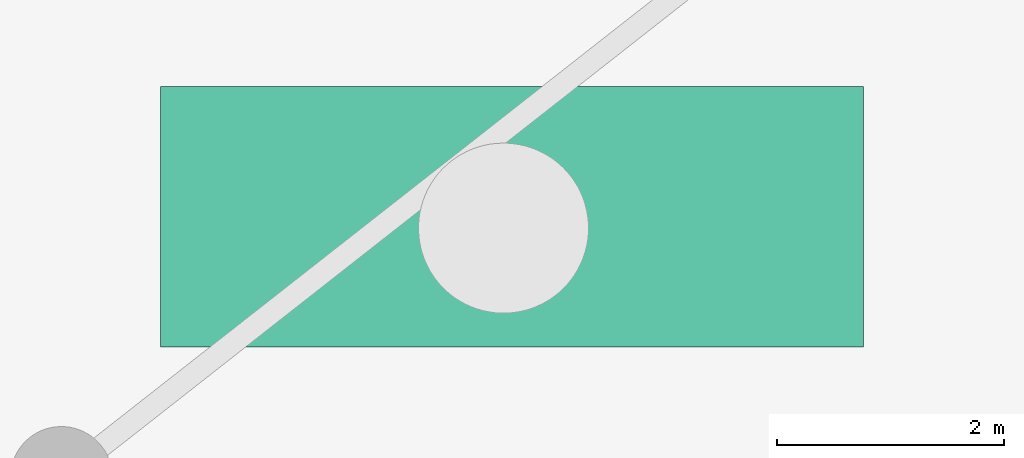
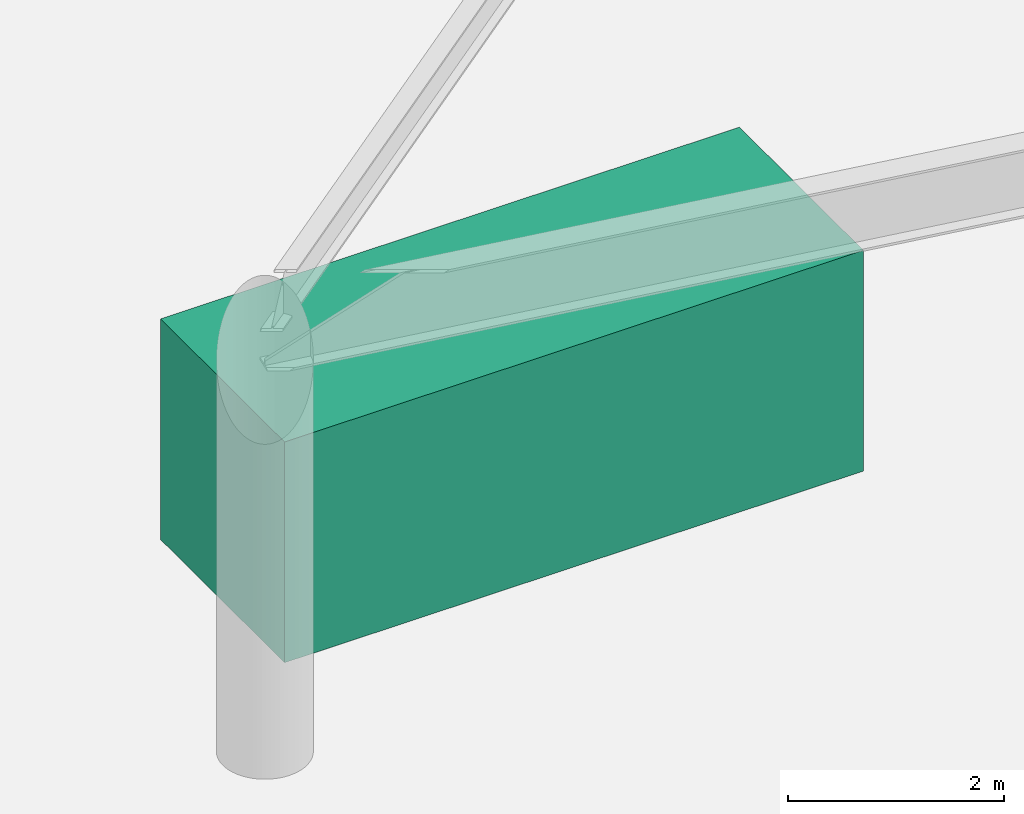
# One storey, part 21 of 22: 1 chiller.
"""IFC4 building model written with IfcOpenShell, lengths in metres."""

from ifc_helpers import new_model, si_unit, direction, frame, origin, origin_2d, place, context, subcontext, project, spatial, rectangle, extrude, material, type_object, element, save


model = new_model("IFC4")

# Units and contexts
model_context = context("Model", 3, precision=1e-05, world=origin(), true_north=direction((0.0, 1.0)))
body_context = subcontext(model_context, "Body", "Model", "MODEL_VIEW")
ifc_project = project(units=[si_unit("LENGTHUNIT", "METRE"), si_unit("AREAUNIT", "SQUARE_METRE"), si_unit("VOLUMEUNIT", "CUBIC_METRE"), si_unit("PLANEANGLEUNIT", "RADIAN"), si_unit("MASSUNIT", "GRAM", prefix="KILO")], contexts=[model_context])

# Site, building, storey
site_placement = place(None, origin())
site = spatial("IfcSite", under=ifc_project, at=site_placement, CompositionType="ELEMENT")
building_placement = place(site_placement, origin())
building = spatial("IfcBuilding", under=site, at=building_placement, Name="Kazevale Care Tower and Concert Hall", CompositionType="ELEMENT")
storey_placement = place(building_placement, frame((0.0, 0.0, -5.39990234375)))
storey = spatial("IfcBuildingStorey", under=building, at=storey_placement, Name="B1", CompositionType="ELEMENT", Elevation=-5.39990234375)

# Chiller
ifc_material = material(Name="Aluminium 6063-T6", Category="aluminium")
chiller_type = type_object("IfcChillerType", Name="Water-Cooled Chiller 2200 kW 6200x2300", PredefinedType="WATERCOOLED", material=ifc_material)
chiller_placement = place(storey_placement, frame((14.074951171875, 56.10009765625, 0.0), z_axis=(0.0, 0.0, 1.0), x_axis=(1.0, 0.0, 0.0)))
element("IfcChiller", 1, at=chiller_placement, inside=storey, type_object=chiller_type, Name="Water-Cooled Chiller B1-1", PredefinedType="WATERCOOLED", context=body_context, shape_type="SweptSolid", body=[
    extrude(rectangle(XDim=6.199951171875, YDim=2.300048828125, at=origin_2d()), origin(), (0.0, 0.0, 1.0), 2.5),
])

save(model, "model.ifc")
